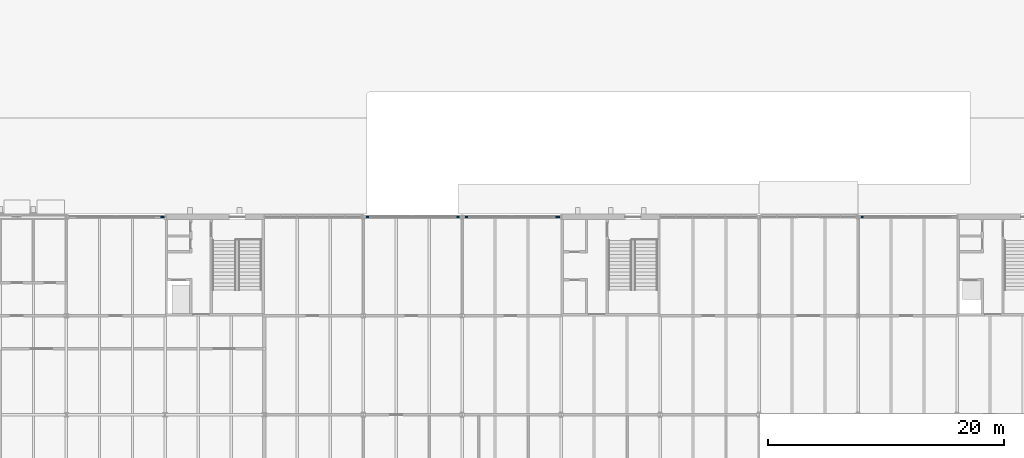
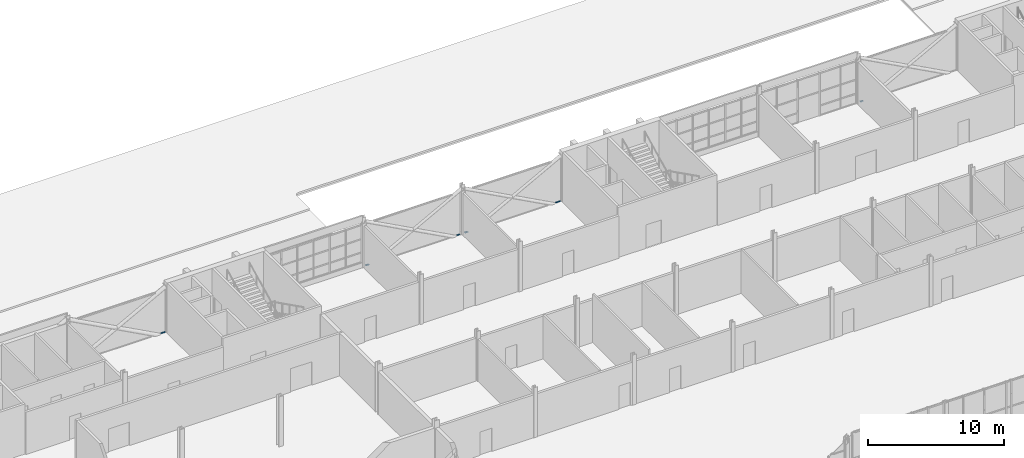
# One storey, part 69 of 116: 6 members, 4 elements without a shape of their own.
"""IFC4 building model written with IfcOpenShell, lengths in metres."""

from ifc_helpers import new_model, si_unit, direction, frame, origin, origin_2d, place, context, subcontext, project, spatial, rectangle, extrude, material, layer, layer_set, material_profile, profile_set, type_object, element, aggregate, save


model = new_model("IFC4")

# Units and contexts
model_context = context("Model", 3, precision=1e-05, world=origin(), true_north=direction((0.0, 1.0)))
body_context = subcontext(model_context, "Body", "Model", "MODEL_VIEW")
ifc_project = project(units=[si_unit("LENGTHUNIT", "METRE"), si_unit("AREAUNIT", "SQUARE_METRE"), si_unit("VOLUMEUNIT", "CUBIC_METRE"), si_unit("PLANEANGLEUNIT", "RADIAN"), si_unit("MASSUNIT", "GRAM", prefix="KILO")], contexts=[model_context])

# Site, building, storey
site_placement = place(None, origin())
site = spatial("IfcSite", under=ifc_project, at=site_placement, CompositionType="ELEMENT")
building_placement = place(site_placement, origin())
building = spatial("IfcBuilding", under=site, at=building_placement, Name="Ardhachandra Cancer Care Centre", CompositionType="ELEMENT")
storey_placement = place(building_placement, origin())
storey = spatial("IfcBuildingStorey", under=building, at=storey_placement, Name="L00", CompositionType="ELEMENT", Elevation=0.0)

# Curtain wall, member
ifc_material_1 = material(Name="Aluminium extrusion", Category="aluminium")
ifc_layer = layer(ifc_material_1, 0.14990234375)
ifc_layer_set = layer_set([ifc_layer], Name="Aluminium extrusion")
curtain_wall_type = type_object("IfcCurtainWallType", Name="Curtain wall run", PredefinedType="NOTDEFINED", material=ifc_layer_set)
curtain_wall_1_placement = place(storey_placement, origin())
curtain_wall_1 = element("IfcCurtainWall", 1, at=curtain_wall_1_placement, inside=storey, type_object=curtain_wall_type, Name="Curtain wall L00 n/0027600_0096600", PredefinedType="NOTDEFINED")
ifc_material_2 = material(Name="Aluminium extrusion", Category="aluminium")
ifc_material_profile = material_profile(ifc_material_2, rectangle(XDim=0.1201171875, YDim=0.06005859375, at=origin_2d()), Name="Curtain wall transom 60 x 120")
ifc_profile_set = profile_set([ifc_material_profile], Name="Aluminium extrusion")
member_type = type_object("IfcMemberType", Name="Curtain wall transom 60 x 120", PredefinedType="USERDEFINED", material=ifc_profile_set)
member_1_placement = place(storey_placement, frame((35.598388671875, 96.60009765625, 0.030029296875), z_axis=(1.0, 0.0, 0.0), x_axis=(0.0, 1.0, 0.0)))
member_1 = element("IfcMember", 2, at=member_1_placement, type_object=member_type, Name="CW transom 1.1", ObjectType="TRANSOM", PredefinedType="USERDEFINED", context=body_context, shape_type="SweptSolid", body=[
    extrude(rectangle(XDim=0.1201171875, YDim=0.06005859375, at=origin_2d()), origin(), (0.0, 0.0, 1.0), 0.341552734375),
])
aggregate(curtain_wall_1, [member_1])

# Curtain wall, members
curtain_wall_2_placement = place(storey_placement, origin())
curtain_wall_2 = element("IfcCurtainWall", 3, at=curtain_wall_2_placement, inside=storey, type_object=curtain_wall_type, Name="Curtain wall L00 n/0052800_0096600", PredefinedType="NOTDEFINED")
member_2_placement = place(storey_placement, frame((53.010009765625, 96.60009765625, 0.030029296875), z_axis=(1.0, 0.0, 0.0), x_axis=(0.0, 1.0, 0.0)))
member_2 = element("IfcMember", 4, at=member_2_placement, type_object=member_type, Name="CW transom 1.1", ObjectType="TRANSOM", PredefinedType="USERDEFINED", context=body_context, shape_type="SweptSolid", body=[
    extrude(rectangle(XDim=0.1201171875, YDim=0.06005859375, at=origin_2d()), origin(), (0.0, 0.0, 1.0), 0.245361328125),
])
member_3_placement = place(storey_placement, frame((60.74462890625, 96.60009765625, 0.030029296875), z_axis=(1.0, 0.0, 0.0), x_axis=(0.0, 1.0, 0.0)))
member_3 = element("IfcMember", 5, at=member_3_placement, type_object=member_type, Name="CW transom 1.1", ObjectType="TRANSOM", PredefinedType="USERDEFINED", context=body_context, shape_type="SweptSolid", body=[
    extrude(rectangle(XDim=0.1201171875, YDim=0.06005859375, at=origin_2d()), origin(), (0.0, 0.0, 1.0), 0.245361328125),
])
aggregate(curtain_wall_2, [member_2, member_3])

curtain_wall_3_placement = place(storey_placement, origin())
curtain_wall_3 = element("IfcCurtainWall", 6, at=curtain_wall_3_placement, inside=storey, type_object=curtain_wall_type, Name="Curtain wall L00 n/0061200_0096600", PredefinedType="NOTDEFINED")
member_4_placement = place(storey_placement, frame((61.409912109375, 96.60009765625, 0.030029296875), z_axis=(1.0, 0.0, 0.0), x_axis=(0.0, 1.0, 0.0)))
member_4 = element("IfcMember", 7, at=member_4_placement, type_object=member_type, Name="CW transom 1.1", ObjectType="TRANSOM", PredefinedType="USERDEFINED", context=body_context, shape_type="SweptSolid", body=[
    extrude(rectangle(XDim=0.1201171875, YDim=0.06005859375, at=origin_2d()), origin(), (0.0, 0.0, 1.0), 0.24560546875),
])
member_5_placement = place(storey_placement, frame((69.14453125, 96.60009765625, 0.030029296875), z_axis=(1.0, 0.0, 0.0), x_axis=(0.0, 1.0, 0.0)))
member_5 = element("IfcMember", 8, at=member_5_placement, type_object=member_type, Name="CW transom 1.1", ObjectType="TRANSOM", PredefinedType="USERDEFINED", context=body_context, shape_type="SweptSolid", body=[
    extrude(rectangle(XDim=0.1201171875, YDim=0.06005859375, at=origin_2d()), origin(), (0.0, 0.0, 1.0), 0.3955078125),
])
aggregate(curtain_wall_3, [member_4, member_5])

# Curtain wall, member
curtain_wall_4_placement = place(storey_placement, origin())
curtain_wall_4 = element("IfcCurtainWall", 9, at=curtain_wall_4_placement, inside=storey, type_object=curtain_wall_type, Name="Curtain wall L00 n/0094800_0096600", PredefinedType="NOTDEFINED")
member_6_placement = place(storey_placement, frame((95.010009765625, 96.60009765625, 0.030029296875), z_axis=(1.0, 0.0, 0.0), x_axis=(0.0, 1.0, 0.0)))
member_6 = element("IfcMember", 10, at=member_6_placement, type_object=member_type, Name="CW transom 1.1", ObjectType="TRANSOM", PredefinedType="USERDEFINED", context=body_context, shape_type="SweptSolid", body=[
    extrude(rectangle(XDim=0.1201171875, YDim=0.06005859375, at=origin_2d()), origin(), (0.0, 0.0, 1.0), 0.245361328125),
])
aggregate(curtain_wall_4, [member_6])

save(model, "model.ifc")
